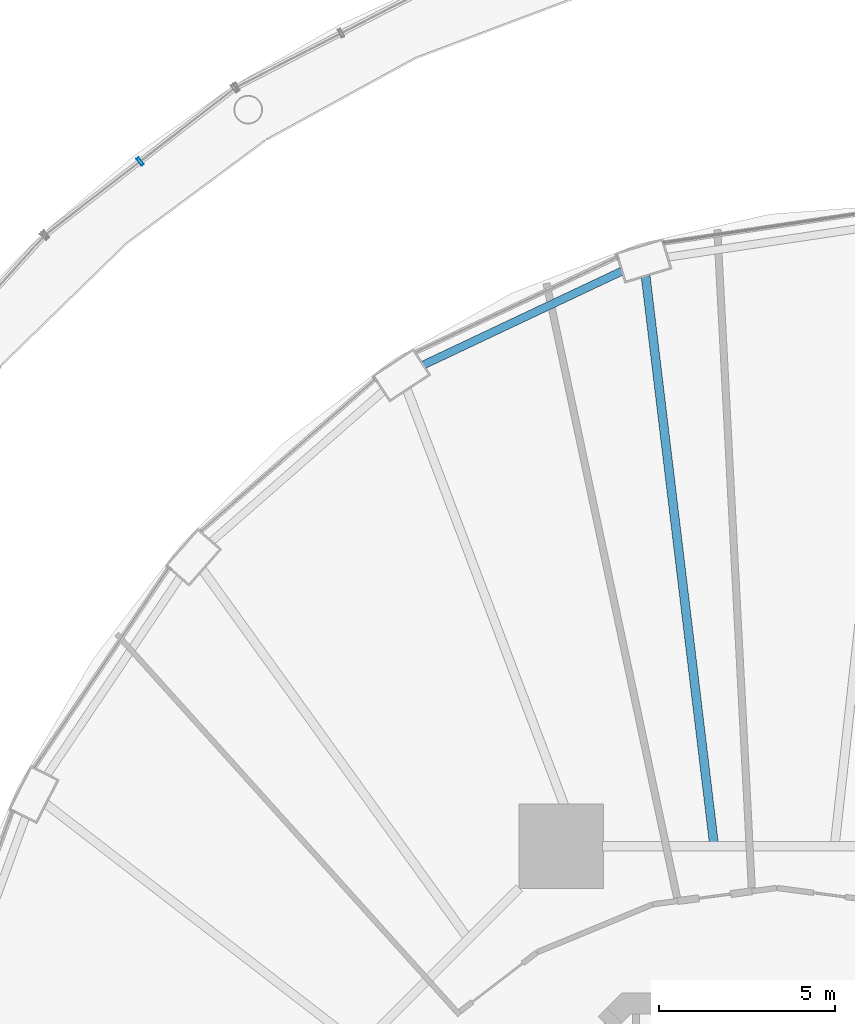
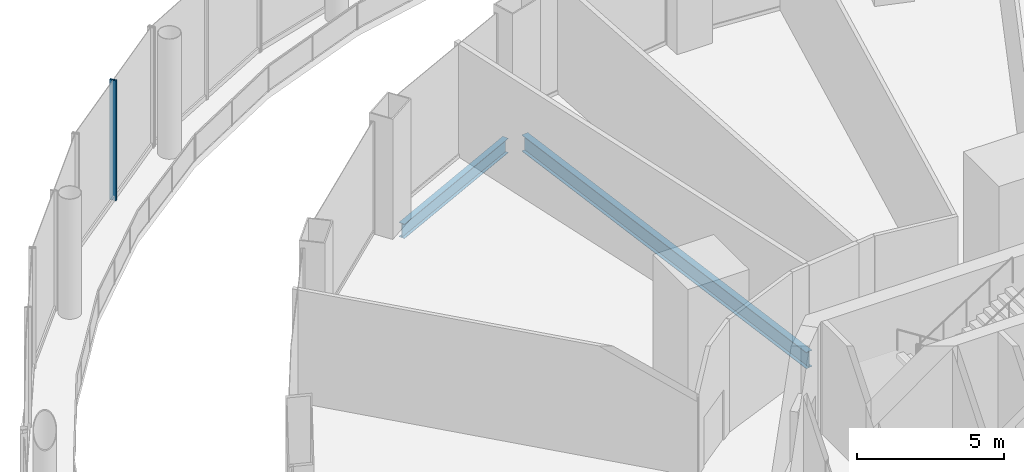
# One storey, part 30 of 47: 2 beams, 1 member, 1 element without a shape of its own.
"""IFC4 building model written with IfcOpenShell, lengths in metres."""

import ifcopenshell
import ifcopenshell.guid

model = None  # the IFC model being written
_history = None  # IfcOwnerHistory: only IFC2X3 demands one
_inside = {}  # id of a spatial element -> (the spatial element, [elements in it])
_under = {}  # id of a project, library or spatial element -> (it, [spatial elements below it])
_declared = {}  # id of a project -> (the project, [libraries it declares])
_typed = {}  # id of a type object -> (the type object, [elements of that type])
_made_of = {}  # id of a material, layer set ... -> (it, [elements and type objects made of it])


def new_model(schema):
    """Start an empty IFC model of exactly this schema.

    Asked for "IFC4X3", IfcOpenShell would pick the latest addendum, in which some entities
    have other attributes; the version numbers below select the first issue.
    IFC2X3 requires an IfcOwnerHistory on every rooted entity: one is made here for all.
    """
    global model, _history
    if schema == "IFC4X3":
        model = ifcopenshell.file(schema_version=(4, 3, 0, 0))
    else:
        model = ifcopenshell.file(schema=schema)
    _inside.clear()
    _under.clear()
    _declared.clear()
    _typed.clear()
    _made_of.clear()
    _history = None
    if model.schema == "IFC2X3":
        org = make("IfcOrganization", Name="unknown")
        user = make(
            "IfcPersonAndOrganization",
            ThePerson=make("IfcPerson", FamilyName="unknown"),
            TheOrganization=org,
        )
        app = make(
            "IfcApplication",
            ApplicationDeveloper=org,
            Version="unknown",
            ApplicationFullName="unknown",
            ApplicationIdentifier="unknown",
        )
        _history = make(
            "IfcOwnerHistory",
            OwningUser=user,
            OwningApplication=app,
            ChangeAction="ADDED",
            CreationDate=0,
        )
    return model


def make(cls, **values):
    """One entity of the class cls with the attributes given. An attribute that is None is left unset."""
    return model.create_entity(
        cls, **{name: value for name, value in values.items() if value is not None}
    )


def rooted(cls, **values):
    """An entity with a GlobalId (a new one), such as an element, a storey or a relation."""
    return make(cls, GlobalId=ifcopenshell.guid.new(), OwnerHistory=_history, **values)


def si_unit(unit_type, name, prefix=None):
    """IfcSIUnit, for example si_unit("LENGTHUNIT", "METRE", prefix="MILLI")."""
    return make("IfcSIUnit", UnitType=unit_type, Prefix=prefix, Name=name)


def assignment(units):
    """IfcUnitAssignment: the units of a project."""
    return None if units is None else make("IfcUnitAssignment", Units=units)


def point(xyz):
    """IfcCartesianPoint."""
    return None if xyz is None else make("IfcCartesianPoint", Coordinates=xyz)


def direction(xyz):
    """IfcDirection."""
    return None if xyz is None else make("IfcDirection", DirectionRatios=xyz)


def frame(location, z_axis=None, x_axis=None):
    """IfcAxis2Placement3D, a coordinate frame: its origin and axes. An axis left out is left unset."""
    return make(
        "IfcAxis2Placement3D",
        Location=point(location),
        Axis=direction(z_axis),
        RefDirection=direction(x_axis),
    )


def frame_2d(location, x_axis=None):
    """IfcAxis2Placement2D, a coordinate frame in the plane: its origin and x axis."""
    return make(
        "IfcAxis2Placement2D", Location=point(location), RefDirection=direction(x_axis)
    )


def origin():
    """The frame at (0, 0, 0) with its axes left unset."""
    return frame((0.0, 0.0, 0.0))


def origin_2d():
    """The frame at (0, 0) in the plane with its x axis left unset."""
    return frame_2d((0.0, 0.0))


def place(relative_to, where):
    """IfcLocalPlacement: puts the frame where relative to a parent placement (None: the world)."""
    return make(
        "IfcLocalPlacement", PlacementRelTo=relative_to, RelativePlacement=where
    )


def context(
    kind, dimensions, precision=None, world=None, true_north=None, identifier=None
):
    """IfcGeometricRepresentationContext, for example the 3D "Model" context."""
    return make(
        "IfcGeometricRepresentationContext",
        ContextIdentifier=identifier,
        ContextType=kind,
        CoordinateSpaceDimension=dimensions,
        Precision=precision,
        WorldCoordinateSystem=world,
        TrueNorth=true_north,
    )


def subcontext(parent, identifier, kind, view, scale=None):
    """IfcGeometricRepresentationSubContext, for example "Body" below "Model"."""
    return make(
        "IfcGeometricRepresentationSubContext",
        ContextIdentifier=identifier,
        ContextType=kind,
        ParentContext=parent,
        TargetScale=scale,
        TargetView=view,
    )


def project(units=None, contexts=None):
    """IfcProject with its units and contexts."""
    return rooted(
        "IfcProject",
        Name="project",
        RepresentationContexts=contexts,
        UnitsInContext=assignment(units),
    )


def spatial(cls, under=None, at=None, **own):
    """A site, building, storey or space (cls), placed at a placement, below another one or the project."""
    s = rooted(cls, ObjectPlacement=at, **own)
    if under is not None:
        _under.setdefault(under.id(), (under, []))[1].append(s)
    return s


def profile(cls, at=None, kind="AREA", **sizes):
    """A parametric profile (cls). Its sizes go by their IFC names, for example OverallWidth=200.0."""
    return make(cls, ProfileType=kind, Position=at, **sizes)


def hollow_rectangle(**sizes):
    """IfcRectangleHollowProfileDef."""
    return profile("IfcRectangleHollowProfileDef", **sizes)


def i_section(**sizes):
    """IfcIShapeProfileDef."""
    return profile("IfcIShapeProfileDef", **sizes)


def extrude(swept, where, along, depth):
    """IfcExtrudedAreaSolid: the profile swept, set in the frame where, extruded along a direction by depth."""
    return make(
        "IfcExtrudedAreaSolid",
        SweptArea=swept,
        Position=where,
        ExtrudedDirection=direction(along),
        Depth=depth,
    )


def shape(context_of_items, identifier, shape_type, items):
    """IfcShapeRepresentation: the items that make up one representation, for example the "Body"."""
    return make(
        "IfcShapeRepresentation",
        ContextOfItems=context_of_items,
        RepresentationIdentifier=identifier,
        RepresentationType=shape_type,
        Items=items,
    )


def material(Name=None, Category=None):
    """IfcMaterial."""
    return make("IfcMaterial", Name=Name, Category=Category)


def layer(
    of_material, thickness, ventilated=None, Name=None, Category=None, Priority=None
):
    """IfcMaterialLayer: one layer of a wall or slab, of a material (None: an air gap)."""
    return make(
        "IfcMaterialLayer",
        Material=of_material,
        LayerThickness=thickness,
        IsVentilated=ventilated,
        Name=Name,
        Category=Category,
        Priority=Priority,
    )


def layer_set(layers, Name=None):
    """IfcMaterialLayerSet."""
    return make("IfcMaterialLayerSet", MaterialLayers=layers, LayerSetName=Name)


def material_profile(
    of_material, cross_section, Name=None, Category=None, Priority=None
):
    """IfcMaterialProfile: a cross section and its material."""
    return make(
        "IfcMaterialProfile",
        Name=Name,
        Material=of_material,
        Profile=cross_section,
        Priority=Priority,
        Category=Category,
    )


def profile_set(profiles, Name=None, composite=None):
    """IfcMaterialProfileSet."""
    return make(
        "IfcMaterialProfileSet",
        Name=Name,
        MaterialProfiles=profiles,
        CompositeProfile=composite,
    )


def made_of(thing, what):
    """Note that an element or type object is made of a material, layer set ...; save() writes the relation."""
    if what is not None:
        _made_of.setdefault(what.id(), (what, []))[1].append(thing)
    return thing


def type_object(cls, material=None, **own):
    """A type object (cls), such as IfcWallType, which elements share."""
    return made_of(rooted(cls, **own), material)


def element(
    cls,
    number,
    at=None,
    inside=None,
    cuts=None,
    type_object=None,
    material=None,
    context=None,
    identifier="Body",
    shape_type=None,
    held_by="IfcProductDefinitionShape",
    body=None,
    shapes=None,
    **own,
):
    """One element of the class cls, such as IfcWall. Its Tag is "e" and its number.

    at: its placement. inside: the storey or other place that contains it. cuts: it is an
    opening in that element (IfcRelVoidsElement). A single representation is given by context,
    identifier, shape_type and body (its items); several are given by shapes. held_by: the class
    of the entity that holds the representations. save() writes the other relations.
    """
    e = rooted(cls, Tag="e%d" % number, ObjectPlacement=at, **own)
    if body is not None:
        shapes = [shape(context, identifier, shape_type, body)]
    if shapes is not None:
        e.Representation = make(held_by, Representations=shapes)
    if inside is not None:
        _inside.setdefault(inside.id(), (inside, []))[1].append(e)
    if cuts is not None:
        rooted(
            "IfcRelVoidsElement", RelatingBuildingElement=cuts, RelatedOpeningElement=e
        )
    if type_object is not None:
        _typed.setdefault(type_object.id(), (type_object, []))[1].append(e)
    return made_of(e, material)


def aggregate(whole, parts):
    """IfcRelAggregates: a whole, such as a stair, and the parts it consists of."""
    return rooted("IfcRelAggregates", RelatingObject=whole, RelatedObjects=parts)


def save(model, path):
    """Write the relations noted so far, then the file.

    IfcRelAggregates (storeys below a building ...), IfcRelContainedInSpatialStructure (elements
    in a storey), IfcRelDefinesByType, IfcRelAssociatesMaterial and IfcRelDeclares: one each for
    every whole, place, type object, material and project.
    """
    for whole, parts in _under.values():
        aggregate(whole, parts)
    for where, things in _inside.values():
        rooted(
            "IfcRelContainedInSpatialStructure",
            RelatedElements=things,
            RelatingStructure=where,
        )
    for kind, things in _typed.values():
        rooted("IfcRelDefinesByType", RelatedObjects=things, RelatingType=kind)
    for what, things in _made_of.values():
        rooted("IfcRelAssociatesMaterial", RelatedObjects=things, RelatingMaterial=what)
    for by, libraries in _declared.values():
        rooted("IfcRelDeclares", RelatingContext=by, RelatedDefinitions=libraries)
    model.write(path)


model = new_model("IFC4")

# Units and contexts
model_context = context("Model", 3, precision=1e-05, world=origin(), true_north=direction((0.0, 1.0)))
body_context = subcontext(model_context, "Body", "Model", "MODEL_VIEW")
ifc_project = project(units=[si_unit("LENGTHUNIT", "METRE"), si_unit("AREAUNIT", "SQUARE_METRE"), si_unit("VOLUMEUNIT", "CUBIC_METRE"), si_unit("PLANEANGLEUNIT", "RADIAN"), si_unit("MASSUNIT", "GRAM", prefix="KILO")], contexts=[model_context])

# Site, building, storey
site_placement = place(None, origin())
site = spatial("IfcSite", under=ifc_project, at=site_placement, CompositionType="ELEMENT")
building_placement = place(site_placement, origin())
building = spatial("IfcBuilding", under=site, at=building_placement, Name="Nagisa Residences", CompositionType="ELEMENT")
storey_placement = place(building_placement, frame((0.0, 0.0, 17.0)))
storey = spatial("IfcBuildingStorey", under=building, at=storey_placement, Name="L03", CompositionType="ELEMENT", Elevation=17.0)

# Curtain wall, member
ifc_material_1 = material(Name="Stainless steel curtain wall system", Category="steel")
ifc_layer = layer(ifc_material_1, 0.159912109375)
ifc_layer_set = layer_set([ifc_layer], Name="CW3 CURTAIN WALL")
curtain_wall_type = type_object("IfcCurtainWallType", Name="CW3 CURTAIN WALL", PredefinedType="NOTDEFINED", material=ifc_layer_set)
curtain_wall_placement = place(storey_placement, origin())
curtain_wall = element("IfcCurtainWall", 1, at=curtain_wall_placement, inside=storey, type_object=curtain_wall_type, Name="cw:CW3:L03:12", PredefinedType="NOTDEFINED")
ifc_material_2 = material(Name="Stainless steel", Category="steel")
ifc_material_profile_1 = material_profile(ifc_material_2, hollow_rectangle(XDim=0.25, YDim=0.080078125, WallThickness=0.008056640625, at=origin_2d()), Name="CW3 MULLION 250x80")
ifc_profile_set_1 = profile_set([ifc_material_profile_1], Name="Stainless steel")
member_type = type_object("IfcMemberType", Name="CW3 MULLION 250x80", PredefinedType="MULLION", material=ifc_profile_set_1)
member_placement = place(storey_placement, frame((-18.06396484375, 34.210205078125, 0.0), z_axis=(0.0, 0.0, 1.0), x_axis=(0.612034757172, -0.790830864353, 0.0)))
member = element("IfcMember", 2, at=member_placement, type_object=member_type, Name="CW3 mullion", PredefinedType="MULLION", context=body_context, shape_type="SweptSolid", body=[
    extrude(hollow_rectangle(XDim=0.25, YDim=0.080078125, WallThickness=0.008056640625, at=origin_2d()), origin(), (0.0, 0.0, 1.0), 5.0),
])
aggregate(curtain_wall, [member])

# Beams
ifc_material_3 = material(Name="Steel ASTM A572 Gr 50", Category="steel")
ifc_material_profile_2 = material_profile(ifc_material_3, i_section(OverallWidth=0.22802734375, OverallDepth=0.60302734375, WebThickness=0.010498046875, FlangeThickness=0.014892578125, at=origin_2d()), Name="W610x101")
ifc_profile_set_2 = profile_set([ifc_material_profile_2], Name="Steel ASTM A572 Gr 50")
beam_type_1 = type_object("IfcBeamType", Name="Perimeter ring beam W610x101", PredefinedType="BEAM", material=ifc_profile_set_2)
beam_1_placement = place(storey_placement, frame((-4.39794921875, 31.098876953125, -0.6015625), z_axis=(-0.904208275867, -0.427091786216, 0.0), x_axis=(0.427091786216, -0.904208275867, 0.0)))
element("IfcBeam", 3, at=beam_1_placement, inside=storey, type_object=beam_type_1, Name="beam:L03:pb08", PredefinedType="BEAM", context=body_context, shape_type="SweptSolid", body=[
    extrude(i_section(OverallWidth=0.22802734375, OverallDepth=0.60302734375, WebThickness=0.010498046875, FlangeThickness=0.014892578125, at=origin_2d()), origin(), (0.0, 0.0, 1.0), 6.227294921875),
])
ifc_material_4 = material(Name="Steel ASTM A572 Gr 50", Category="steel")
ifc_material_profile_3 = material_profile(ifc_material_4, i_section(OverallWidth=0.25390625, OverallDepth=0.68408203125, WebThickness=0.012451171875, FlangeThickness=0.018798828125, at=origin_2d()), Name="W690x140")
ifc_profile_set_3 = profile_set([ifc_material_profile_3], Name="Steel ASTM A572 Gr 50")
beam_type_2 = type_object("IfcBeamType", Name="Radial beam W690x140", PredefinedType="BEAM", material=ifc_profile_set_3)
beam_2_placement = place(storey_placement, frame((-3.72412109375, 30.958740234375, -0.64208984375), z_axis=(0.119431411612, -0.992842453726, 0.0), x_axis=(0.992842453726, 0.119431411612, 0.0)))
element("IfcBeam", 4, at=beam_2_placement, inside=storey, type_object=beam_type_2, Name="beam:L03:rb08", PredefinedType="BEAM", context=body_context, shape_type="SweptSolid", body=[
    extrude(i_section(OverallWidth=0.25390625, OverallDepth=0.68408203125, WebThickness=0.012451171875, FlangeThickness=0.018798828125, at=origin_2d()), origin(), (0.0, 0.0, 1.0), 16.1796875),
])

save(model, "model.ifc")
